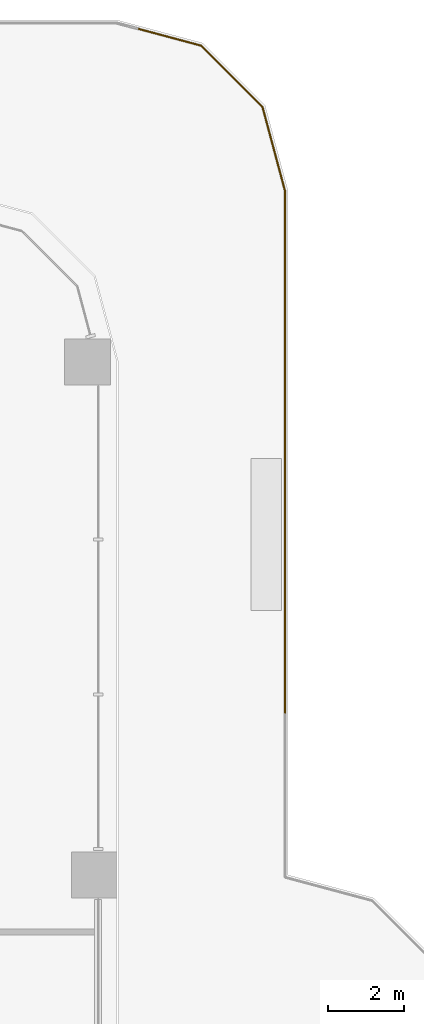
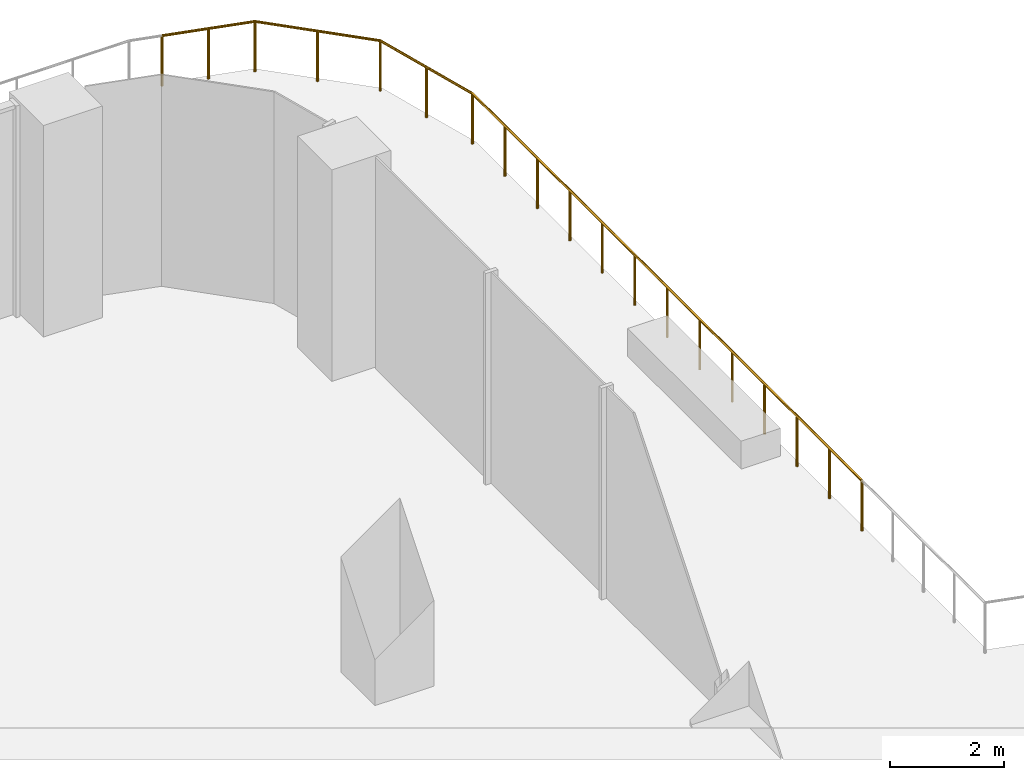
# One storey, part 29 of 30: 1 railing.
"""IFC4 building model written with IfcOpenShell, lengths in metres."""

from ifc_helpers import new_model, si_unit, direction, frame, origin, origin_2d, place, context, subcontext, project, spatial, circle, extrude, material, type_object, element, save


model = new_model("IFC4")

# Units and contexts
model_context = context("Model", 3, precision=1e-05, world=origin(), true_north=direction((0.0, 1.0)))
body_context = subcontext(model_context, "Body", "Model", "MODEL_VIEW")
ifc_project = project(units=[si_unit("LENGTHUNIT", "METRE"), si_unit("AREAUNIT", "SQUARE_METRE"), si_unit("VOLUMEUNIT", "CUBIC_METRE"), si_unit("PLANEANGLEUNIT", "RADIAN"), si_unit("MASSUNIT", "GRAM", prefix="KILO")], contexts=[model_context])

# Site, building, storey
site_placement = place(None, origin())
site = spatial("IfcSite", under=ifc_project, at=site_placement, CompositionType="ELEMENT")
building_placement = place(site_placement, origin())
building = spatial("IfcBuilding", under=site, at=building_placement, Name="Zarbagh Exchange Tower", CompositionType="ELEMENT")
storey_placement = place(building_placement, frame((0.0, 0.0, 7.0)))
storey = spatial("IfcBuildingStorey", under=building, at=storey_placement, Name="L01", CompositionType="ELEMENT", Elevation=7.0)

# Railing
ifc_material = material(Name="Stainless steel and laminated glass", Category="steel")
railing_type = type_object("IfcRailingType", Name="Terrace guard, glass balustrade 1.1 m", PredefinedType="GUARDRAIL", material=ifc_material)
railing_placement = place(storey_placement, frame((25.322509765625, 56.013671875, 0.0)))
element("IfcRailing", 1, at=railing_placement, inside=storey, type_object=railing_type, Name="TG01 terrace guard", PredefinedType="GUARDRAIL", context=body_context, shape_type="SweptSolid", body=[
    extrude(circle(Radius=0.02490234375, at=origin_2d()), frame((0.0, 0.0, 1.0751953125), z_axis=(0.965944834766, -0.258748094076, 0.0), x_axis=(0.258748094076, 0.965944834766, 0.0)), (0.0, 0.0, 1.0), 1.693603515625),
    extrude(circle(Radius=0.02490234375, at=origin_2d()), frame((1.635986328125, -0.438232421875, 1.0751953125), z_axis=(0.707106781187, -0.707106781187, 0.0), x_axis=(0.707106781187, 0.707106781187, 0.0)), (0.0, 0.0, 1.0), 2.28662109375),
    extrude(circle(Radius=0.02490234375, at=origin_2d()), frame((3.2529296875, -2.05517578125, 1.0751953125), z_axis=(0.258780353152, -0.965936192935, 0.0), x_axis=(0.965936192935, 0.258780353152, 0.0)), (0.0, 0.0, 1.0), 2.29736328125),
    extrude(circle(Radius=0.02490234375, at=origin_2d()), frame((3.847412109375, -4.274169921875, 1.0751953125), z_axis=(0.0, -1.0, 0.0), x_axis=(1.0, 0.0, 0.0)), (0.0, 0.0, 1.0), 13.722412109375),
    extrude(circle(Radius=0.02490234375, at=origin_2d()), origin(), (0.0, 0.0, 1.0), 1.050048828125),
    extrude(circle(Radius=0.02490234375, at=origin_2d()), frame((0.81787109375, -0.21923828125, 0.0)), (0.0, 0.0, 1.0), 1.050048828125),
    extrude(circle(Radius=0.02490234375, at=origin_2d()), frame((1.635986328125, -0.438232421875, 0.0)), (0.0, 0.0, 1.0), 1.050048828125),
    extrude(circle(Radius=0.02490234375, at=origin_2d()), frame((2.4443359375, -1.24658203125, 0.0)), (0.0, 0.0, 1.0), 1.050048828125),
    extrude(circle(Radius=0.02490234375, at=origin_2d()), frame((3.2529296875, -2.05517578125, 0.0)), (0.0, 0.0, 1.0), 1.050048828125),
    extrude(circle(Radius=0.02490234375, at=origin_2d()), frame((3.55029296875, -3.16455078125, 0.0)), (0.0, 0.0, 1.0), 1.050048828125),
    extrude(circle(Radius=0.02490234375, at=origin_2d()), frame((3.847412109375, -4.274169921875, 0.0)), (0.0, 0.0, 1.0), 1.050048828125),
    extrude(circle(Radius=0.02490234375, at=origin_2d()), frame((3.847412109375, -5.417724609375, 0.0)), (0.0, 0.0, 1.0), 1.050048828125),
    extrude(circle(Radius=0.02490234375, at=origin_2d()), frame((3.847412109375, -6.561279296875, 0.0)), (0.0, 0.0, 1.0), 1.050048828125),
    extrude(circle(Radius=0.02490234375, at=origin_2d()), frame((3.847412109375, -7.704833984375, 0.0)), (0.0, 0.0, 1.0), 1.050048828125),
    extrude(circle(Radius=0.02490234375, at=origin_2d()), frame((3.847412109375, -8.848388671875, 0.0)), (0.0, 0.0, 1.0), 1.050048828125),
    extrude(circle(Radius=0.02490234375, at=origin_2d()), frame((3.847412109375, -9.991943359375, 0.0)), (0.0, 0.0, 1.0), 1.050048828125),
    extrude(circle(Radius=0.02490234375, at=origin_2d()), frame((3.847412109375, -11.13525390625, 0.0)), (0.0, 0.0, 1.0), 1.050048828125),
    extrude(circle(Radius=0.02490234375, at=origin_2d()), frame((3.847412109375, -12.27880859375, 0.0)), (0.0, 0.0, 1.0), 1.050048828125),
    extrude(circle(Radius=0.02490234375, at=origin_2d()), frame((3.847412109375, -13.42236328125, 0.0)), (0.0, 0.0, 1.0), 1.050048828125),
    extrude(circle(Radius=0.02490234375, at=origin_2d()), frame((3.847412109375, -14.56591796875, 0.0)), (0.0, 0.0, 1.0), 1.050048828125),
    extrude(circle(Radius=0.02490234375, at=origin_2d()), frame((3.847412109375, -15.70947265625, 0.0)), (0.0, 0.0, 1.0), 1.050048828125),
    extrude(circle(Radius=0.02490234375, at=origin_2d()), frame((3.847412109375, -16.85302734375, 0.0)), (0.0, 0.0, 1.0), 1.050048828125),
    extrude(circle(Radius=0.02490234375, at=origin_2d()), frame((3.847412109375, -17.99658203125, 0.0)), (0.0, 0.0, 1.0), 1.050048828125),
])

save(model, "model.ifc")
